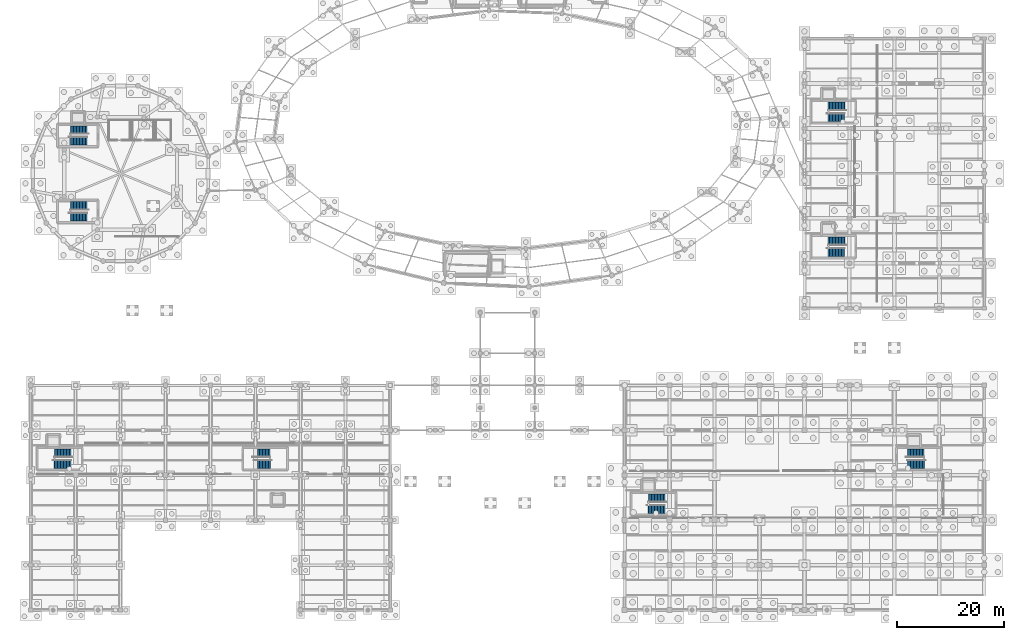
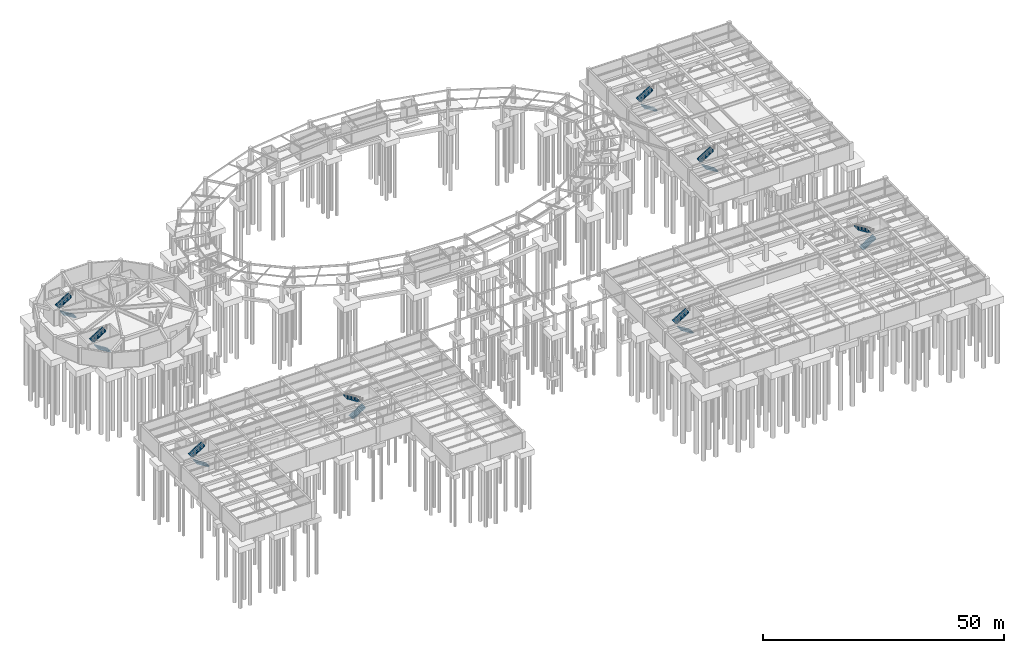
# One storey, part 31 of 38: 16 stair flights, 8 elements without a shape of their own.
"""IFC4 building model written with IfcOpenShell, lengths in metres."""

from ifc_helpers import new_model, si_unit, direction, frame, origin, place, context, subcontext, project, spatial, polyline, outline, extrude, material, type_object, element, aggregate, save


model = new_model("IFC4")

# Units and contexts
model_context = context("Model", 3, precision=1e-05, world=origin(), true_north=direction((0.0, 1.0)))
body_context = subcontext(model_context, "Body", "Model", "MODEL_VIEW")
ifc_project = project(units=[si_unit("LENGTHUNIT", "METRE"), si_unit("AREAUNIT", "SQUARE_METRE"), si_unit("VOLUMEUNIT", "CUBIC_METRE"), si_unit("PLANEANGLEUNIT", "RADIAN"), si_unit("MASSUNIT", "GRAM", prefix="KILO"), si_unit("THERMODYNAMICTEMPERATUREUNIT", "KELVIN"), si_unit("POWERUNIT", "WATT")], contexts=[model_context])

# Site, building, storey
site_placement = place(None, origin())
site = spatial("IfcSite", under=ifc_project, at=site_placement, CompositionType="ELEMENT")
building_placement = place(site_placement, origin())
building = spatial("IfcBuilding", under=site, at=building_placement, Name="Darbajah Civic Hall", CompositionType="ELEMENT")
storey_placement = place(building_placement, frame((0.0, 0.0, -4.199951171875)))
storey = spatial("IfcBuildingStorey", under=building, at=storey_placement, Name="B01", CompositionType="ELEMENT", Elevation=-4.199951171875)

# Stair, stair flights
ifc_material_1 = material(Name="Concrete C45/55", Category="concrete")
stair_type = type_object("IfcStairType", Name="Half Turn Stair 1650x4200", PredefinedType="HALF_TURN_STAIR", material=ifc_material_1)
stair_1_placement = place(storey_placement, origin())
stair_1 = element("IfcStair", 1, at=stair_1_placement, inside=storey, type_object=stair_type, Name="B01 enclosed exit stair ST04", PredefinedType="HALF_TURN_STAIR")
ifc_material_2 = material(Name="Precast Concrete C45/55", Category="concrete")
stair_flight_type = type_object("IfcStairFlightType", Name="Stair Flight 12R 280G", PredefinedType="STRAIGHT", material=ifc_material_2)
stair_flight_1_placement = place(storey_placement, frame((10.52001953125, 87.6650390625, 0.0), z_axis=(0.0, 0.0, 1.0), x_axis=(-1.0, 0.0, 0.0)))
stair_flight_1 = element("IfcStairFlight", 2, at=stair_flight_1_placement, type_object=stair_flight_type, Name="ST04 B01 lower flight", NumberOfRisers=12, NumberOfTreads=11, PredefinedType="STRAIGHT", RiserHeight=0.175, TreadLength=0.28, context=body_context, shape_type="SweptSolid", body=[
    extrude(outline(polyline([(0.0, 0.0), (0.0, 0.175048828125), (0.280029296875, 0.175048828125), (0.280029296875, 0.35009765625), (0.56005859375, 0.35009765625), (0.56005859375, 0.52490234375), (0.840087890625, 0.52490234375), (0.840087890625, 0.699951171875), (1.1201171875, 0.699951171875), (1.1201171875, 0.875), (1.39990234375, 0.875), (1.39990234375, 1.050048828125), (1.679931640625, 1.050048828125), (1.679931640625, 1.22509765625), (1.9599609375, 1.22509765625), (1.9599609375, 1.39990234375), (2.239990234375, 1.39990234375), (2.239990234375, 1.574951171875), (2.52001953125, 1.574951171875), (2.52001953125, 1.75), (2.800048828125, 1.75), (2.800048828125, 1.925048828125), (3.080078125, 1.925048828125), (3.080078125, 2.10009765625), (3.1201171875, 2.10009765625), (3.1201171875, 1.712890625), (0.37939453125, 0.0), (0.0, 0.0)])), frame((0.0, 0.77490234375, 0.0), z_axis=(0.0, -1.0, 0.0), x_axis=(1.0, 0.0, 0.0)), (0.0, 0.0, 1.0), 1.550048828125),
])
stair_flight_2_placement = place(storey_placement, frame((7.43994140625, 89.735107421875, 2.099853515625), z_axis=(0.0, 0.0, 1.0), x_axis=(1.0, 0.0, 0.0)))
stair_flight_2 = element("IfcStairFlight", 3, at=stair_flight_2_placement, type_object=stair_flight_type, Name="ST04 B01 upper flight", NumberOfRisers=12, NumberOfTreads=11, PredefinedType="STRAIGHT", RiserHeight=0.175, TreadLength=0.28, context=body_context, shape_type="SweptSolid", body=[
    extrude(outline(polyline([(0.0, 0.0), (0.0, 0.175048828125), (0.280029296875, 0.175048828125), (0.280029296875, 0.35009765625), (0.56005859375, 0.35009765625), (0.56005859375, 0.52490234375), (0.840087890625, 0.52490234375), (0.840087890625, 0.699951171875), (1.1201171875, 0.699951171875), (1.1201171875, 0.875), (1.39990234375, 0.875), (1.39990234375, 1.050048828125), (1.679931640625, 1.050048828125), (1.679931640625, 1.22509765625), (1.9599609375, 1.22509765625), (1.9599609375, 1.39990234375), (2.239990234375, 1.39990234375), (2.239990234375, 1.574951171875), (2.52001953125, 1.574951171875), (2.52001953125, 1.75), (2.800048828125, 1.75), (2.800048828125, 1.925048828125), (3.080078125, 1.925048828125), (3.080078125, 2.10009765625), (3.1201171875, 2.10009765625), (3.1201171875, 1.712890625), (0.37939453125, 0.0), (0.0, 0.0)])), frame((0.0, 0.77490234375, 0.0), z_axis=(0.0, -1.0, 0.0), x_axis=(1.0, 0.0, 0.0)), (0.0, 0.0, 1.0), 1.550048828125),
])
aggregate(stair_1, [stair_flight_1, stair_flight_2])

stair_2_placement = place(storey_placement, origin())
stair_2 = element("IfcStair", 4, at=stair_2_placement, inside=storey, type_object=stair_type, Name="B01 enclosed exit stair ST05", PredefinedType="HALF_TURN_STAIR")
stair_flight_3_placement = place(storey_placement, frame((10.52001953125, 73.465087890625, 0.0), z_axis=(0.0, 0.0, 1.0), x_axis=(-1.0, 0.0, 0.0)))
stair_flight_3 = element("IfcStairFlight", 5, at=stair_flight_3_placement, type_object=stair_flight_type, Name="ST05 B01 lower flight", NumberOfRisers=12, NumberOfTreads=11, PredefinedType="STRAIGHT", RiserHeight=0.175, TreadLength=0.28, context=body_context, shape_type="SweptSolid", body=[
    extrude(outline(polyline([(0.0, 0.0), (0.0, 0.175048828125), (0.280029296875, 0.175048828125), (0.280029296875, 0.35009765625), (0.56005859375, 0.35009765625), (0.56005859375, 0.52490234375), (0.840087890625, 0.52490234375), (0.840087890625, 0.699951171875), (1.1201171875, 0.699951171875), (1.1201171875, 0.875), (1.39990234375, 0.875), (1.39990234375, 1.050048828125), (1.679931640625, 1.050048828125), (1.679931640625, 1.22509765625), (1.9599609375, 1.22509765625), (1.9599609375, 1.39990234375), (2.239990234375, 1.39990234375), (2.239990234375, 1.574951171875), (2.52001953125, 1.574951171875), (2.52001953125, 1.75), (2.800048828125, 1.75), (2.800048828125, 1.925048828125), (3.080078125, 1.925048828125), (3.080078125, 2.10009765625), (3.1201171875, 2.10009765625), (3.1201171875, 1.712890625), (0.37939453125, 0.0), (0.0, 0.0)])), frame((0.0, 0.77490234375, 0.0), z_axis=(0.0, -1.0, 0.0), x_axis=(1.0, 0.0, 0.0)), (0.0, 0.0, 1.0), 1.550048828125),
])
stair_flight_4_placement = place(storey_placement, frame((7.43994140625, 75.534912109375, 2.099853515625), z_axis=(0.0, 0.0, 1.0), x_axis=(1.0, 0.0, 0.0)))
stair_flight_4 = element("IfcStairFlight", 6, at=stair_flight_4_placement, type_object=stair_flight_type, Name="ST05 B01 upper flight", NumberOfRisers=12, NumberOfTreads=11, PredefinedType="STRAIGHT", RiserHeight=0.175, TreadLength=0.28, context=body_context, shape_type="SweptSolid", body=[
    extrude(outline(polyline([(0.0, 0.0), (0.0, 0.175048828125), (0.280029296875, 0.175048828125), (0.280029296875, 0.35009765625), (0.56005859375, 0.35009765625), (0.56005859375, 0.52490234375), (0.840087890625, 0.52490234375), (0.840087890625, 0.699951171875), (1.1201171875, 0.699951171875), (1.1201171875, 0.875), (1.39990234375, 0.875), (1.39990234375, 1.050048828125), (1.679931640625, 1.050048828125), (1.679931640625, 1.22509765625), (1.9599609375, 1.22509765625), (1.9599609375, 1.39990234375), (2.239990234375, 1.39990234375), (2.239990234375, 1.574951171875), (2.52001953125, 1.574951171875), (2.52001953125, 1.75), (2.800048828125, 1.75), (2.800048828125, 1.925048828125), (3.080078125, 1.925048828125), (3.080078125, 2.10009765625), (3.1201171875, 2.10009765625), (3.1201171875, 1.712890625), (0.37939453125, 0.0), (0.0, 0.0)])), frame((0.0, 0.77490234375, 0.0), z_axis=(0.0, -1.0, 0.0), x_axis=(1.0, 0.0, 0.0)), (0.0, 0.0, 1.0), 1.550048828125),
])
aggregate(stair_2, [stair_flight_3, stair_flight_4])

stair_3_placement = place(storey_placement, origin())
stair_3 = element("IfcStair", 7, at=stair_3_placement, inside=storey, type_object=stair_type, Name="B01 enclosed exit stair ST06", PredefinedType="HALF_TURN_STAIR")
stair_flight_5_placement = place(storey_placement, frame((118.52001953125, 18.864990234375, 0.0), z_axis=(0.0, 0.0, 1.0), x_axis=(-1.0, 0.0, 0.0)))
stair_flight_5 = element("IfcStairFlight", 8, at=stair_flight_5_placement, type_object=stair_flight_type, Name="ST06 B01 lower flight", NumberOfRisers=12, NumberOfTreads=11, PredefinedType="STRAIGHT", RiserHeight=0.175, TreadLength=0.28, context=body_context, shape_type="SweptSolid", body=[
    extrude(outline(polyline([(0.0, 0.0), (0.0, 0.175048828125), (0.280029296875, 0.175048828125), (0.280029296875, 0.35009765625), (0.56005859375, 0.35009765625), (0.56005859375, 0.52490234375), (0.840087890625, 0.52490234375), (0.840087890625, 0.699951171875), (1.1201171875, 0.699951171875), (1.1201171875, 0.875), (1.39990234375, 0.875), (1.39990234375, 1.050048828125), (1.679931640625, 1.050048828125), (1.679931640625, 1.22509765625), (1.9599609375, 1.22509765625), (1.9599609375, 1.39990234375), (2.239990234375, 1.39990234375), (2.239990234375, 1.574951171875), (2.52001953125, 1.574951171875), (2.52001953125, 1.75), (2.800048828125, 1.75), (2.800048828125, 1.925048828125), (3.080078125, 1.925048828125), (3.080078125, 2.10009765625), (3.1201171875, 2.10009765625), (3.1201171875, 1.712890625), (0.37939453125, 0.0), (0.0, 0.0)])), frame((0.0, 0.77490234375, 0.0), z_axis=(0.0, -1.0, 0.0), x_axis=(1.0, 0.0, 0.0)), (0.0, 0.0, 1.0), 1.550048828125),
])
stair_flight_6_placement = place(storey_placement, frame((115.43994140625, 20.93505859375, 2.099853515625), z_axis=(0.0, 0.0, 1.0), x_axis=(1.0, 0.0, 0.0)))
stair_flight_6 = element("IfcStairFlight", 9, at=stair_flight_6_placement, type_object=stair_flight_type, Name="ST06 B01 upper flight", NumberOfRisers=12, NumberOfTreads=11, PredefinedType="STRAIGHT", RiserHeight=0.175, TreadLength=0.28, context=body_context, shape_type="SweptSolid", body=[
    extrude(outline(polyline([(0.0, 0.0), (0.0, 0.175048828125), (0.280029296875, 0.175048828125), (0.280029296875, 0.35009765625), (0.56005859375, 0.35009765625), (0.56005859375, 0.52490234375), (0.840087890625, 0.52490234375), (0.840087890625, 0.699951171875), (1.1201171875, 0.699951171875), (1.1201171875, 0.875), (1.39990234375, 0.875), (1.39990234375, 1.050048828125), (1.679931640625, 1.050048828125), (1.679931640625, 1.22509765625), (1.9599609375, 1.22509765625), (1.9599609375, 1.39990234375), (2.239990234375, 1.39990234375), (2.239990234375, 1.574951171875), (2.52001953125, 1.574951171875), (2.52001953125, 1.75), (2.800048828125, 1.75), (2.800048828125, 1.925048828125), (3.080078125, 1.925048828125), (3.080078125, 2.10009765625), (3.1201171875, 2.10009765625), (3.1201171875, 1.712890625), (0.37939453125, 0.0), (0.0, 0.0)])), frame((0.0, 0.77490234375, 0.0), z_axis=(0.0, -1.0, 0.0), x_axis=(1.0, 0.0, 0.0)), (0.0, 0.0, 1.0), 1.550048828125),
])
aggregate(stair_3, [stair_flight_5, stair_flight_6])

stair_4_placement = place(storey_placement, origin())
stair_4 = element("IfcStair", 10, at=stair_4_placement, inside=storey, type_object=stair_type, Name="B01 enclosed exit stair ST07", PredefinedType="HALF_TURN_STAIR")
stair_flight_7_placement = place(storey_placement, frame((163.8798828125, 27.264892578125, 0.0), z_axis=(0.0, 0.0, 1.0), x_axis=(1.0, 0.0, 0.0)))
stair_flight_7 = element("IfcStairFlight", 11, at=stair_flight_7_placement, type_object=stair_flight_type, Name="ST07 B01 lower flight", NumberOfRisers=12, NumberOfTreads=11, PredefinedType="STRAIGHT", RiserHeight=0.175, TreadLength=0.28, context=body_context, shape_type="SweptSolid", body=[
    extrude(outline(polyline([(0.0, 0.0), (0.0, 0.175048828125), (0.280029296875, 0.175048828125), (0.280029296875, 0.35009765625), (0.56005859375, 0.35009765625), (0.56005859375, 0.52490234375), (0.840087890625, 0.52490234375), (0.840087890625, 0.699951171875), (1.1201171875, 0.699951171875), (1.1201171875, 0.875), (1.39990234375, 0.875), (1.39990234375, 1.050048828125), (1.679931640625, 1.050048828125), (1.679931640625, 1.22509765625), (1.9599609375, 1.22509765625), (1.9599609375, 1.39990234375), (2.239990234375, 1.39990234375), (2.239990234375, 1.574951171875), (2.52001953125, 1.574951171875), (2.52001953125, 1.75), (2.800048828125, 1.75), (2.800048828125, 1.925048828125), (3.080078125, 1.925048828125), (3.080078125, 2.10009765625), (3.1201171875, 2.10009765625), (3.1201171875, 1.712890625), (0.37939453125, 0.0), (0.0, 0.0)])), frame((0.0, 0.77490234375, 0.0), z_axis=(0.0, -1.0, 0.0), x_axis=(1.0, 0.0, 0.0)), (0.0, 0.0, 1.0), 1.550048828125),
])
stair_flight_8_placement = place(storey_placement, frame((166.9599609375, 29.3349609375, 2.099853515625), z_axis=(0.0, 0.0, 1.0), x_axis=(-1.0, 0.0, 0.0)))
stair_flight_8 = element("IfcStairFlight", 12, at=stair_flight_8_placement, type_object=stair_flight_type, Name="ST07 B01 upper flight", NumberOfRisers=12, NumberOfTreads=11, PredefinedType="STRAIGHT", RiserHeight=0.175, TreadLength=0.28, context=body_context, shape_type="SweptSolid", body=[
    extrude(outline(polyline([(0.0, 0.0), (0.0, 0.175048828125), (0.280029296875, 0.175048828125), (0.280029296875, 0.35009765625), (0.56005859375, 0.35009765625), (0.56005859375, 0.52490234375), (0.840087890625, 0.52490234375), (0.840087890625, 0.699951171875), (1.1201171875, 0.699951171875), (1.1201171875, 0.875), (1.39990234375, 0.875), (1.39990234375, 1.050048828125), (1.679931640625, 1.050048828125), (1.679931640625, 1.22509765625), (1.9599609375, 1.22509765625), (1.9599609375, 1.39990234375), (2.239990234375, 1.39990234375), (2.239990234375, 1.574951171875), (2.52001953125, 1.574951171875), (2.52001953125, 1.75), (2.800048828125, 1.75), (2.800048828125, 1.925048828125), (3.080078125, 1.925048828125), (3.080078125, 2.10009765625), (3.1201171875, 2.10009765625), (3.1201171875, 1.712890625), (0.37939453125, 0.0), (0.0, 0.0)])), frame((0.0, 0.77490234375, 0.0), z_axis=(0.0, -1.0, 0.0), x_axis=(1.0, 0.0, 0.0)), (0.0, 0.0, 1.0), 1.550048828125),
])
aggregate(stair_4, [stair_flight_7, stair_flight_8])

stair_5_placement = place(storey_placement, origin())
stair_5 = element("IfcStair", 13, at=stair_5_placement, inside=storey, type_object=stair_type, Name="B01 enclosed exit stair ST08", PredefinedType="HALF_TURN_STAIR")
stair_flight_9_placement = place(storey_placement, frame((152.1201171875, 92.06494140625, 0.0), z_axis=(0.0, 0.0, 1.0), x_axis=(-1.0, 0.0, 0.0)))
stair_flight_9 = element("IfcStairFlight", 14, at=stair_flight_9_placement, type_object=stair_flight_type, Name="ST08 B01 lower flight", NumberOfRisers=12, NumberOfTreads=11, PredefinedType="STRAIGHT", RiserHeight=0.175, TreadLength=0.28, context=body_context, shape_type="SweptSolid", body=[
    extrude(outline(polyline([(0.0, 0.0), (0.0, 0.175048828125), (0.280029296875, 0.175048828125), (0.280029296875, 0.35009765625), (0.56005859375, 0.35009765625), (0.56005859375, 0.52490234375), (0.840087890625, 0.52490234375), (0.840087890625, 0.699951171875), (1.1201171875, 0.699951171875), (1.1201171875, 0.875), (1.39990234375, 0.875), (1.39990234375, 1.050048828125), (1.679931640625, 1.050048828125), (1.679931640625, 1.22509765625), (1.9599609375, 1.22509765625), (1.9599609375, 1.39990234375), (2.239990234375, 1.39990234375), (2.239990234375, 1.574951171875), (2.52001953125, 1.574951171875), (2.52001953125, 1.75), (2.800048828125, 1.75), (2.800048828125, 1.925048828125), (3.080078125, 1.925048828125), (3.080078125, 2.10009765625), (3.1201171875, 2.10009765625), (3.1201171875, 1.712890625), (0.37939453125, 0.0), (0.0, 0.0)])), frame((0.0, 0.77490234375, 0.0), z_axis=(0.0, -1.0, 0.0), x_axis=(1.0, 0.0, 0.0)), (0.0, 0.0, 1.0), 1.550048828125),
])
stair_flight_10_placement = place(storey_placement, frame((149.0400390625, 94.135009765625, 2.099853515625), z_axis=(0.0, 0.0, 1.0), x_axis=(1.0, 0.0, 0.0)))
stair_flight_10 = element("IfcStairFlight", 15, at=stair_flight_10_placement, type_object=stair_flight_type, Name="ST08 B01 upper flight", NumberOfRisers=12, NumberOfTreads=11, PredefinedType="STRAIGHT", RiserHeight=0.175, TreadLength=0.28, context=body_context, shape_type="SweptSolid", body=[
    extrude(outline(polyline([(0.0, 0.0), (0.0, 0.175048828125), (0.280029296875, 0.175048828125), (0.280029296875, 0.35009765625), (0.56005859375, 0.35009765625), (0.56005859375, 0.52490234375), (0.840087890625, 0.52490234375), (0.840087890625, 0.699951171875), (1.1201171875, 0.699951171875), (1.1201171875, 0.875), (1.39990234375, 0.875), (1.39990234375, 1.050048828125), (1.679931640625, 1.050048828125), (1.679931640625, 1.22509765625), (1.9599609375, 1.22509765625), (1.9599609375, 1.39990234375), (2.239990234375, 1.39990234375), (2.239990234375, 1.574951171875), (2.52001953125, 1.574951171875), (2.52001953125, 1.75), (2.800048828125, 1.75), (2.800048828125, 1.925048828125), (3.080078125, 1.925048828125), (3.080078125, 2.10009765625), (3.1201171875, 2.10009765625), (3.1201171875, 1.712890625), (0.37939453125, 0.0), (0.0, 0.0)])), frame((0.0, 0.77490234375, 0.0), z_axis=(0.0, -1.0, 0.0), x_axis=(1.0, 0.0, 0.0)), (0.0, 0.0, 1.0), 1.550048828125),
])
aggregate(stair_5, [stair_flight_9, stair_flight_10])

stair_6_placement = place(storey_placement, origin())
stair_6 = element("IfcStair", 16, at=stair_6_placement, inside=storey, type_object=stair_type, Name="B01 enclosed exit stair ST09", PredefinedType="HALF_TURN_STAIR")
stair_flight_11_placement = place(storey_placement, frame((152.1201171875, 66.864990234375, 0.0), z_axis=(0.0, 0.0, 1.0), x_axis=(-1.0, 0.0, 0.0)))
stair_flight_11 = element("IfcStairFlight", 17, at=stair_flight_11_placement, type_object=stair_flight_type, Name="ST09 B01 lower flight", NumberOfRisers=12, NumberOfTreads=11, PredefinedType="STRAIGHT", RiserHeight=0.175, TreadLength=0.28, context=body_context, shape_type="SweptSolid", body=[
    extrude(outline(polyline([(0.0, 0.0), (0.0, 0.175048828125), (0.280029296875, 0.175048828125), (0.280029296875, 0.35009765625), (0.56005859375, 0.35009765625), (0.56005859375, 0.52490234375), (0.840087890625, 0.52490234375), (0.840087890625, 0.699951171875), (1.1201171875, 0.699951171875), (1.1201171875, 0.875), (1.39990234375, 0.875), (1.39990234375, 1.050048828125), (1.679931640625, 1.050048828125), (1.679931640625, 1.22509765625), (1.9599609375, 1.22509765625), (1.9599609375, 1.39990234375), (2.239990234375, 1.39990234375), (2.239990234375, 1.574951171875), (2.52001953125, 1.574951171875), (2.52001953125, 1.75), (2.800048828125, 1.75), (2.800048828125, 1.925048828125), (3.080078125, 1.925048828125), (3.080078125, 2.10009765625), (3.1201171875, 2.10009765625), (3.1201171875, 1.712890625), (0.37939453125, 0.0), (0.0, 0.0)])), frame((0.0, 0.77490234375, 0.0), z_axis=(0.0, -1.0, 0.0), x_axis=(1.0, 0.0, 0.0)), (0.0, 0.0, 1.0), 1.550048828125),
])
stair_flight_12_placement = place(storey_placement, frame((149.0400390625, 68.93505859375, 2.099853515625), z_axis=(0.0, 0.0, 1.0), x_axis=(1.0, 0.0, 0.0)))
stair_flight_12 = element("IfcStairFlight", 18, at=stair_flight_12_placement, type_object=stair_flight_type, Name="ST09 B01 upper flight", NumberOfRisers=12, NumberOfTreads=11, PredefinedType="STRAIGHT", RiserHeight=0.175, TreadLength=0.28, context=body_context, shape_type="SweptSolid", body=[
    extrude(outline(polyline([(0.0, 0.0), (0.0, 0.175048828125), (0.280029296875, 0.175048828125), (0.280029296875, 0.35009765625), (0.56005859375, 0.35009765625), (0.56005859375, 0.52490234375), (0.840087890625, 0.52490234375), (0.840087890625, 0.699951171875), (1.1201171875, 0.699951171875), (1.1201171875, 0.875), (1.39990234375, 0.875), (1.39990234375, 1.050048828125), (1.679931640625, 1.050048828125), (1.679931640625, 1.22509765625), (1.9599609375, 1.22509765625), (1.9599609375, 1.39990234375), (2.239990234375, 1.39990234375), (2.239990234375, 1.574951171875), (2.52001953125, 1.574951171875), (2.52001953125, 1.75), (2.800048828125, 1.75), (2.800048828125, 1.925048828125), (3.080078125, 1.925048828125), (3.080078125, 2.10009765625), (3.1201171875, 2.10009765625), (3.1201171875, 1.712890625), (0.37939453125, 0.0), (0.0, 0.0)])), frame((0.0, 0.77490234375, 0.0), z_axis=(0.0, -1.0, 0.0), x_axis=(1.0, 0.0, 0.0)), (0.0, 0.0, 1.0), 1.550048828125),
])
aggregate(stair_6, [stair_flight_11, stair_flight_12])

stair_7_placement = place(storey_placement, origin())
stair_7 = element("IfcStair", 19, at=stair_7_placement, inside=storey, type_object=stair_type, Name="B01 enclosed exit stair ST10", PredefinedType="HALF_TURN_STAIR")
stair_flight_13_placement = place(storey_placement, frame((7.52001953125, 27.264892578125, 0.0), z_axis=(0.0, 0.0, 1.0), x_axis=(-1.0, 0.0, 0.0)))
stair_flight_13 = element("IfcStairFlight", 20, at=stair_flight_13_placement, type_object=stair_flight_type, Name="ST10 B01 lower flight", NumberOfRisers=12, NumberOfTreads=11, PredefinedType="STRAIGHT", RiserHeight=0.175, TreadLength=0.28, context=body_context, shape_type="SweptSolid", body=[
    extrude(outline(polyline([(0.0, 0.0), (0.0, 0.175048828125), (0.280029296875, 0.175048828125), (0.280029296875, 0.35009765625), (0.56005859375, 0.35009765625), (0.56005859375, 0.52490234375), (0.840087890625, 0.52490234375), (0.840087890625, 0.699951171875), (1.1201171875, 0.699951171875), (1.1201171875, 0.875), (1.39990234375, 0.875), (1.39990234375, 1.050048828125), (1.679931640625, 1.050048828125), (1.679931640625, 1.22509765625), (1.9599609375, 1.22509765625), (1.9599609375, 1.39990234375), (2.239990234375, 1.39990234375), (2.239990234375, 1.574951171875), (2.52001953125, 1.574951171875), (2.52001953125, 1.75), (2.800048828125, 1.75), (2.800048828125, 1.925048828125), (3.080078125, 1.925048828125), (3.080078125, 2.10009765625), (3.1201171875, 2.10009765625), (3.1201171875, 1.712890625), (0.37939453125, 0.0), (0.0, 0.0)])), frame((0.0, 0.77490234375, 0.0), z_axis=(0.0, -1.0, 0.0), x_axis=(1.0, 0.0, 0.0)), (0.0, 0.0, 1.0), 1.550048828125),
])
stair_flight_14_placement = place(storey_placement, frame((4.43994140625, 29.3349609375, 2.099853515625), z_axis=(0.0, 0.0, 1.0), x_axis=(1.0, 0.0, 0.0)))
stair_flight_14 = element("IfcStairFlight", 21, at=stair_flight_14_placement, type_object=stair_flight_type, Name="ST10 B01 upper flight", NumberOfRisers=12, NumberOfTreads=11, PredefinedType="STRAIGHT", RiserHeight=0.175, TreadLength=0.28, context=body_context, shape_type="SweptSolid", body=[
    extrude(outline(polyline([(0.0, 0.0), (0.0, 0.175048828125), (0.280029296875, 0.175048828125), (0.280029296875, 0.35009765625), (0.56005859375, 0.35009765625), (0.56005859375, 0.52490234375), (0.840087890625, 0.52490234375), (0.840087890625, 0.699951171875), (1.1201171875, 0.699951171875), (1.1201171875, 0.875), (1.39990234375, 0.875), (1.39990234375, 1.050048828125), (1.679931640625, 1.050048828125), (1.679931640625, 1.22509765625), (1.9599609375, 1.22509765625), (1.9599609375, 1.39990234375), (2.239990234375, 1.39990234375), (2.239990234375, 1.574951171875), (2.52001953125, 1.574951171875), (2.52001953125, 1.75), (2.800048828125, 1.75), (2.800048828125, 1.925048828125), (3.080078125, 1.925048828125), (3.080078125, 2.10009765625), (3.1201171875, 2.10009765625), (3.1201171875, 1.712890625), (0.37939453125, 0.0), (0.0, 0.0)])), frame((0.0, 0.77490234375, 0.0), z_axis=(0.0, -1.0, 0.0), x_axis=(1.0, 0.0, 0.0)), (0.0, 0.0, 1.0), 1.550048828125),
])
aggregate(stair_7, [stair_flight_13, stair_flight_14])

stair_8_placement = place(storey_placement, origin())
stair_8 = element("IfcStair", 22, at=stair_8_placement, inside=storey, type_object=stair_type, Name="B01 enclosed exit stair ST11", PredefinedType="HALF_TURN_STAIR")
stair_flight_15_placement = place(storey_placement, frame((41.679931640625, 27.264892578125, 0.0), z_axis=(0.0, 0.0, 1.0), x_axis=(1.0, 0.0, 0.0)))
stair_flight_15 = element("IfcStairFlight", 23, at=stair_flight_15_placement, type_object=stair_flight_type, Name="ST11 B01 lower flight", NumberOfRisers=12, NumberOfTreads=11, PredefinedType="STRAIGHT", RiserHeight=0.175, TreadLength=0.28, context=body_context, shape_type="SweptSolid", body=[
    extrude(outline(polyline([(0.0, 0.0), (0.0, 0.175048828125), (0.280029296875, 0.175048828125), (0.280029296875, 0.35009765625), (0.56005859375, 0.35009765625), (0.56005859375, 0.52490234375), (0.840087890625, 0.52490234375), (0.840087890625, 0.699951171875), (1.1201171875, 0.699951171875), (1.1201171875, 0.875), (1.39990234375, 0.875), (1.39990234375, 1.050048828125), (1.679931640625, 1.050048828125), (1.679931640625, 1.22509765625), (1.9599609375, 1.22509765625), (1.9599609375, 1.39990234375), (2.239990234375, 1.39990234375), (2.239990234375, 1.574951171875), (2.52001953125, 1.574951171875), (2.52001953125, 1.75), (2.800048828125, 1.75), (2.800048828125, 1.925048828125), (3.080078125, 1.925048828125), (3.080078125, 2.10009765625), (3.1201171875, 2.10009765625), (3.1201171875, 1.712890625), (0.37939453125, 0.0), (0.0, 0.0)])), frame((0.0, 0.77490234375, 0.0), z_axis=(0.0, -1.0, 0.0), x_axis=(1.0, 0.0, 0.0)), (0.0, 0.0, 1.0), 1.550048828125),
])
stair_flight_16_placement = place(storey_placement, frame((44.760009765625, 29.3349609375, 2.099853515625), z_axis=(0.0, 0.0, 1.0), x_axis=(-1.0, 0.0, 0.0)))
stair_flight_16 = element("IfcStairFlight", 24, at=stair_flight_16_placement, type_object=stair_flight_type, Name="ST11 B01 upper flight", NumberOfRisers=12, NumberOfTreads=11, PredefinedType="STRAIGHT", RiserHeight=0.175, TreadLength=0.28, context=body_context, shape_type="SweptSolid", body=[
    extrude(outline(polyline([(0.0, 0.0), (0.0, 0.175048828125), (0.280029296875, 0.175048828125), (0.280029296875, 0.35009765625), (0.56005859375, 0.35009765625), (0.56005859375, 0.52490234375), (0.840087890625, 0.52490234375), (0.840087890625, 0.699951171875), (1.1201171875, 0.699951171875), (1.1201171875, 0.875), (1.39990234375, 0.875), (1.39990234375, 1.050048828125), (1.679931640625, 1.050048828125), (1.679931640625, 1.22509765625), (1.9599609375, 1.22509765625), (1.9599609375, 1.39990234375), (2.239990234375, 1.39990234375), (2.239990234375, 1.574951171875), (2.52001953125, 1.574951171875), (2.52001953125, 1.75), (2.800048828125, 1.75), (2.800048828125, 1.925048828125), (3.080078125, 1.925048828125), (3.080078125, 2.10009765625), (3.1201171875, 2.10009765625), (3.1201171875, 1.712890625), (0.37939453125, 0.0), (0.0, 0.0)])), frame((0.0, 0.77490234375, 0.0), z_axis=(0.0, -1.0, 0.0), x_axis=(1.0, 0.0, 0.0)), (0.0, 0.0, 1.0), 1.550048828125),
])
aggregate(stair_8, [stair_flight_15, stair_flight_16])

save(model, "model.ifc")
